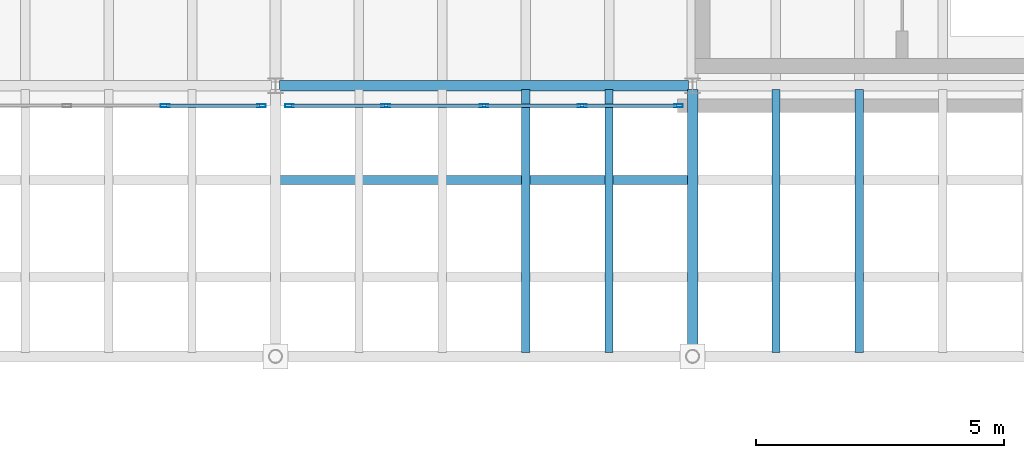
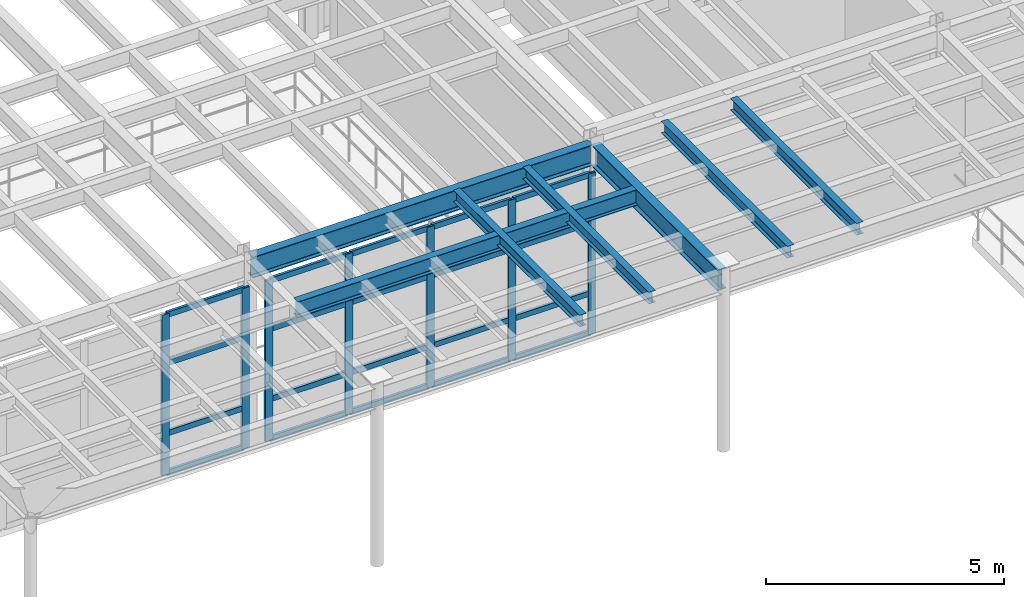
# One storey, part 37 of 105: 27 members, 7 beams, 2 elements without a shape of their own.
"""IFC4 building model written with IfcOpenShell, lengths in metres."""

from ifc_helpers import new_model, si_unit, direction, frame, origin, origin_2d, place, context, subcontext, project, spatial, hollow_rectangle, i_section, extrude, material, layer, layer_set, material_profile, profile_set, type_object, element, aggregate, save


model = new_model("IFC4")

# Units and contexts
model_context = context("Model", 3, precision=1e-05, world=origin(), true_north=direction((0.0, 1.0)))
body_context = subcontext(model_context, "Body", "Model", "MODEL_VIEW")
ifc_project = project(units=[si_unit("LENGTHUNIT", "METRE"), si_unit("AREAUNIT", "SQUARE_METRE"), si_unit("VOLUMEUNIT", "CUBIC_METRE"), si_unit("PLANEANGLEUNIT", "RADIAN"), si_unit("MASSUNIT", "GRAM", prefix="KILO")], contexts=[model_context])

# Site, building, storey
site_placement = place(None, origin())
site = spatial("IfcSite", under=ifc_project, at=site_placement, CompositionType="ELEMENT")
building_placement = place(site_placement, origin())
building = spatial("IfcBuilding", under=site, at=building_placement, Name="Selat Folded Stagehouse", CompositionType="ELEMENT")
storey_placement = place(building_placement, frame((0.0, 0.0, 10.199951171875)))
storey = spatial("IfcBuildingStorey", under=building, at=storey_placement, Name="L02", CompositionType="ELEMENT", Elevation=10.199951171875)

# Beams
ifc_material_1 = material(Name="Steel S355", Category="steel")
ifc_material_profile_1 = material_profile(ifc_material_1, i_section(OverallWidth=0.210693359375, OverallDepth=0.53955078125, WebThickness=0.01171875, FlangeThickness=0.018798828125, FilletRadius=0.0126953125, at=origin_2d()), Name="UKB 533x210x109")
ifc_profile_set_1 = profile_set([ifc_material_profile_1], Name="Steel S355")
beam_type_1 = type_object("IfcBeamType", Name="BM-GIRD-533x210x109", PredefinedType="BEAM", material=ifc_profile_set_1)
beam_1_placement = place(storey_placement, frame((75.60009765625, 0.418212890625, 4.305419921875), z_axis=(0.0, 1.0, 0.0), x_axis=(-1.0, 0.0, 0.0)))
element("IfcBeam", 1, at=beam_1_placement, inside=storey, type_object=beam_type_1, Name="L02 primary y-girder 1061", PredefinedType="BEAM", context=body_context, shape_type="SweptSolid", body=[
    extrude(i_section(OverallWidth=0.210693359375, OverallDepth=0.53955078125, WebThickness=0.01171875, FlangeThickness=0.018798828125, FilletRadius=0.0126953125, at=origin_2d()), origin(), (0.0, 0.0, 1.0), 5.3046875),
])
ifc_material_profile_2 = material_profile(ifc_material_1, i_section(OverallWidth=0.209228515625, OverallDepth=0.533203125, WebThickness=0.010009765625, FlangeThickness=0.015625, FilletRadius=0.0126953125, at=origin_2d()), Name="UKB 533x210x92")
ifc_profile_set_2 = profile_set([ifc_material_profile_2], Name="Steel S355")
beam_type_2 = type_object("IfcBeamType", Name="BM-GIRD-533x210x92", PredefinedType="BEAM", material=ifc_profile_set_2)
beam_2_placement = place(storey_placement, frame((67.277099609375, 5.800048828125, 4.308349609375), z_axis=(1.0, 0.0, 0.0), x_axis=(0.0, 1.0, 0.0)))
element("IfcBeam", 2, at=beam_2_placement, inside=storey, type_object=beam_type_2, Name="L02 primary x-girder 0993", PredefinedType="BEAM", context=body_context, shape_type="SweptSolid", body=[
    extrude(i_section(OverallWidth=0.209228515625, OverallDepth=0.533203125, WebThickness=0.010009765625, FlangeThickness=0.015625, FilletRadius=0.0126953125, at=origin_2d()), origin(), (0.0, 0.0, 1.0), 8.245849609375),
])

# Curtain wall, members
ifc_material_2 = material(Name="Aluminium 6063-T6", Category="aluminium")
ifc_layer = layer(ifc_material_2, 0.2099609375)
ifc_layer_set = layer_set([ifc_layer], Name="Aluminium 6063-T6")
curtain_wall_type = type_object("IfcCurtainWallType", Name="CW-FYR-SOUTH", PredefinedType="NOTDEFINED", material=ifc_layer_set)
curtain_wall_1_placement = place(storey_placement, origin())
curtain_wall_1 = element("IfcCurtainWall", 3, at=curtain_wall_1_placement, inside=storey, type_object=curtain_wall_type, Name="L02 curtain wall CW-FYR-L02-02", PredefinedType="NOTDEFINED")
ifc_material_profile_3 = material_profile(ifc_material_2, hollow_rectangle(XDim=0.06494140625, YDim=0.179931640625, WallThickness=0.00390625, at=origin_2d()), Name="ALU 180x65x4.0")
ifc_profile_set_3 = profile_set([ifc_material_profile_3], Name="Aluminium 6063-T6")
member_type_1 = type_object("IfcMemberType", Name="CWM-MUL-180x65", PredefinedType="MULLION", material=ifc_profile_set_3)
member_1_placement = place(storey_placement, frame((66.91748046875, 5.39990234375, 0.0), z_axis=(0.0, 0.0, 1.0), x_axis=(0.0, -1.0, 0.0)))
member_1 = element("IfcMember", 4, at=member_1_placement, type_object=member_type_1, Name="CW-04 mullion 1", PredefinedType="MULLION", context=body_context, shape_type="SweptSolid", body=[
    extrude(hollow_rectangle(XDim=0.06494140625, YDim=0.179931640625, WallThickness=0.00390625, at=origin_2d()), origin(), (0.0, 0.0, 1.0), 4.1201171875),
])
member_2_placement = place(storey_placement, frame((64.97509765625, 5.39990234375, 0.0), z_axis=(0.0, 0.0, 1.0), x_axis=(0.0, -1.0, 0.0)))
member_2 = element("IfcMember", 5, at=member_2_placement, type_object=member_type_1, Name="CW-04 mullion 2", PredefinedType="MULLION", context=body_context, shape_type="SweptSolid", body=[
    extrude(hollow_rectangle(XDim=0.06494140625, YDim=0.179931640625, WallThickness=0.00390625, at=origin_2d()), origin(), (0.0, 0.0, 1.0), 4.1201171875),
])

curtain_wall_2_placement = place(storey_placement, origin())
curtain_wall_2 = element("IfcCurtainWall", 6, at=curtain_wall_2_placement, inside=storey, type_object=curtain_wall_type, Name="L02 curtain wall CW-FYR-L02-03", PredefinedType="NOTDEFINED")
member_3_placement = place(storey_placement, frame((75.3173828125, 5.39990234375, 0.0), z_axis=(0.0, 0.0, 1.0), x_axis=(0.0, -1.0, 0.0)))
member_3 = element("IfcMember", 7, at=member_3_placement, type_object=member_type_1, Name="CW-04 mullion 1", PredefinedType="MULLION", context=body_context, shape_type="SweptSolid", body=[
    extrude(hollow_rectangle(XDim=0.06494140625, YDim=0.179931640625, WallThickness=0.00390625, at=origin_2d()), origin(), (0.0, 0.0, 1.0), 4.1201171875),
])
member_4_placement = place(storey_placement, frame((73.375, 5.39990234375, 0.0), z_axis=(0.0, 0.0, 1.0), x_axis=(0.0, -1.0, 0.0)))
member_4 = element("IfcMember", 8, at=member_4_placement, type_object=member_type_1, Name="CW-04 mullion 2", PredefinedType="MULLION", context=body_context, shape_type="SweptSolid", body=[
    extrude(hollow_rectangle(XDim=0.06494140625, YDim=0.179931640625, WallThickness=0.00390625, at=origin_2d()), origin(), (0.0, 0.0, 1.0), 4.1201171875),
])
member_5_placement = place(storey_placement, frame((71.39990234375, 5.39990234375, 0.0), z_axis=(0.0, 0.0, 1.0), x_axis=(0.0, -1.0, 0.0)))
member_5 = element("IfcMember", 9, at=member_5_placement, type_object=member_type_1, Name="CW-04 mullion 3", PredefinedType="MULLION", context=body_context, shape_type="SweptSolid", body=[
    extrude(hollow_rectangle(XDim=0.06494140625, YDim=0.179931640625, WallThickness=0.00390625, at=origin_2d()), origin(), (0.0, 0.0, 1.0), 4.1201171875),
])
member_6_placement = place(storey_placement, frame((69.425048828125, 5.39990234375, 0.0), z_axis=(0.0, 0.0, 1.0), x_axis=(0.0, -1.0, 0.0)))
member_6 = element("IfcMember", 10, at=member_6_placement, type_object=member_type_1, Name="CW-04 mullion 4", PredefinedType="MULLION", context=body_context, shape_type="SweptSolid", body=[
    extrude(hollow_rectangle(XDim=0.06494140625, YDim=0.179931640625, WallThickness=0.00390625, at=origin_2d()), origin(), (0.0, 0.0, 1.0), 4.1201171875),
])
member_7_placement = place(storey_placement, frame((67.482421875, 5.39990234375, 0.0), z_axis=(0.0, 0.0, 1.0), x_axis=(0.0, -1.0, 0.0)))
member_7 = element("IfcMember", 11, at=member_7_placement, type_object=member_type_1, Name="CW-04 mullion 5", PredefinedType="MULLION", context=body_context, shape_type="SweptSolid", body=[
    extrude(hollow_rectangle(XDim=0.06494140625, YDim=0.179931640625, WallThickness=0.00390625, at=origin_2d()), origin(), (0.0, 0.0, 1.0), 4.1201171875),
])

# Member
ifc_material_profile_4 = material_profile(ifc_material_2, hollow_rectangle(XDim=0.06494140625, YDim=0.139892578125, WallThickness=0.00390625, at=origin_2d()), Name="ALU 140x65x4.0")
ifc_profile_set_4 = profile_set([ifc_material_profile_4], Name="Aluminium 6063-T6")
member_type_2 = type_object("IfcMemberType", Name="CWM-TRN-140x65", PredefinedType="USERDEFINED", material=ifc_profile_set_4)
member_8_placement = place(storey_placement, frame((66.885009765625, 5.39990234375, 0.032470703125), z_axis=(-1.0, 0.0, 0.0), x_axis=(0.0, -1.0, 0.0)))
member_8 = element("IfcMember", 12, at=member_8_placement, type_object=member_type_2, Name="CW-04 transom 1.1", ObjectType="TRANSOM", PredefinedType="USERDEFINED", context=body_context, shape_type="SweptSolid", body=[
    extrude(hollow_rectangle(XDim=0.06494140625, YDim=0.139892578125, WallThickness=0.00390625, at=origin_2d()), origin(), (0.0, 0.0, 1.0), 1.87744140625),
])

member_9_placement = place(storey_placement, frame((66.885009765625, 5.39990234375, 1.050048828125), z_axis=(-1.0, 0.0, 0.0), x_axis=(0.0, -1.0, 0.0)))
member_9 = element("IfcMember", 13, at=member_9_placement, type_object=member_type_2, Name="CW-04 transom 1.2", ObjectType="TRANSOM", PredefinedType="USERDEFINED", context=body_context, shape_type="SweptSolid", body=[
    extrude(hollow_rectangle(XDim=0.06494140625, YDim=0.139892578125, WallThickness=0.00390625, at=origin_2d()), origin(), (0.0, 0.0, 1.0), 1.87744140625),
])

member_10_placement = place(storey_placement, frame((66.885009765625, 5.39990234375, 2.85009765625), z_axis=(-1.0, 0.0, 0.0), x_axis=(0.0, -1.0, 0.0)))
member_10 = element("IfcMember", 14, at=member_10_placement, type_object=member_type_2, Name="CW-04 transom 1.3", ObjectType="TRANSOM", PredefinedType="USERDEFINED", context=body_context, shape_type="SweptSolid", body=[
    extrude(hollow_rectangle(XDim=0.06494140625, YDim=0.139892578125, WallThickness=0.00390625, at=origin_2d()), origin(), (0.0, 0.0, 1.0), 1.87744140625),
])

member_11_placement = place(storey_placement, frame((66.885009765625, 5.39990234375, 4.087646484375), z_axis=(-1.0, 0.0, 0.0), x_axis=(0.0, -1.0, 0.0)))
member_11 = element("IfcMember", 15, at=member_11_placement, type_object=member_type_2, Name="CW-04 transom 1.4", ObjectType="TRANSOM", PredefinedType="USERDEFINED", context=body_context, shape_type="SweptSolid", body=[
    extrude(hollow_rectangle(XDim=0.06494140625, YDim=0.139892578125, WallThickness=0.00390625, at=origin_2d()), origin(), (0.0, 0.0, 1.0), 1.87744140625),
])

aggregate(curtain_wall_1, [member_1, member_2, member_8, member_9, member_10, member_11])

member_12_placement = place(storey_placement, frame((75.284912109375, 5.39990234375, 0.032470703125), z_axis=(-1.0, 0.0, 0.0), x_axis=(0.0, -1.0, 0.0)))
member_12 = element("IfcMember", 16, at=member_12_placement, type_object=member_type_2, Name="CW-04 transom 1.1", ObjectType="TRANSOM", PredefinedType="USERDEFINED", context=body_context, shape_type="SweptSolid", body=[
    extrude(hollow_rectangle(XDim=0.06494140625, YDim=0.139892578125, WallThickness=0.00390625, at=origin_2d()), origin(), (0.0, 0.0, 1.0), 1.87744140625),
])

member_13_placement = place(storey_placement, frame((75.284912109375, 5.39990234375, 1.050048828125), z_axis=(-1.0, 0.0, 0.0), x_axis=(0.0, -1.0, 0.0)))
member_13 = element("IfcMember", 17, at=member_13_placement, type_object=member_type_2, Name="CW-04 transom 1.2", ObjectType="TRANSOM", PredefinedType="USERDEFINED", context=body_context, shape_type="SweptSolid", body=[
    extrude(hollow_rectangle(XDim=0.06494140625, YDim=0.139892578125, WallThickness=0.00390625, at=origin_2d()), origin(), (0.0, 0.0, 1.0), 1.87744140625),
])

member_14_placement = place(storey_placement, frame((75.284912109375, 5.39990234375, 2.85009765625), z_axis=(-1.0, 0.0, 0.0), x_axis=(0.0, -1.0, 0.0)))
member_14 = element("IfcMember", 18, at=member_14_placement, type_object=member_type_2, Name="CW-04 transom 1.3", ObjectType="TRANSOM", PredefinedType="USERDEFINED", context=body_context, shape_type="SweptSolid", body=[
    extrude(hollow_rectangle(XDim=0.06494140625, YDim=0.139892578125, WallThickness=0.00390625, at=origin_2d()), origin(), (0.0, 0.0, 1.0), 1.87744140625),
])

member_15_placement = place(storey_placement, frame((75.284912109375, 5.39990234375, 4.087646484375), z_axis=(-1.0, 0.0, 0.0), x_axis=(0.0, -1.0, 0.0)))
member_15 = element("IfcMember", 19, at=member_15_placement, type_object=member_type_2, Name="CW-04 transom 1.4", ObjectType="TRANSOM", PredefinedType="USERDEFINED", context=body_context, shape_type="SweptSolid", body=[
    extrude(hollow_rectangle(XDim=0.06494140625, YDim=0.139892578125, WallThickness=0.00390625, at=origin_2d()), origin(), (0.0, 0.0, 1.0), 1.87744140625),
])

member_16_placement = place(storey_placement, frame((73.342529296875, 5.39990234375, 0.032470703125), z_axis=(-1.0, 0.0, 0.0), x_axis=(0.0, -1.0, 0.0)))
member_16 = element("IfcMember", 20, at=member_16_placement, type_object=member_type_2, Name="CW-04 transom 2.1", ObjectType="TRANSOM", PredefinedType="USERDEFINED", context=body_context, shape_type="SweptSolid", body=[
    extrude(hollow_rectangle(XDim=0.06494140625, YDim=0.139892578125, WallThickness=0.00390625, at=origin_2d()), origin(), (0.0, 0.0, 1.0), 1.909912109375),
])

member_17_placement = place(storey_placement, frame((73.342529296875, 5.39990234375, 1.050048828125), z_axis=(-1.0, 0.0, 0.0), x_axis=(0.0, -1.0, 0.0)))
member_17 = element("IfcMember", 21, at=member_17_placement, type_object=member_type_2, Name="CW-04 transom 2.2", ObjectType="TRANSOM", PredefinedType="USERDEFINED", context=body_context, shape_type="SweptSolid", body=[
    extrude(hollow_rectangle(XDim=0.06494140625, YDim=0.139892578125, WallThickness=0.00390625, at=origin_2d()), origin(), (0.0, 0.0, 1.0), 1.909912109375),
])

member_18_placement = place(storey_placement, frame((73.342529296875, 5.39990234375, 2.85009765625), z_axis=(-1.0, 0.0, 0.0), x_axis=(0.0, -1.0, 0.0)))
member_18 = element("IfcMember", 22, at=member_18_placement, type_object=member_type_2, Name="CW-04 transom 2.3", ObjectType="TRANSOM", PredefinedType="USERDEFINED", context=body_context, shape_type="SweptSolid", body=[
    extrude(hollow_rectangle(XDim=0.06494140625, YDim=0.139892578125, WallThickness=0.00390625, at=origin_2d()), origin(), (0.0, 0.0, 1.0), 1.909912109375),
])

member_19_placement = place(storey_placement, frame((73.342529296875, 5.39990234375, 4.087646484375), z_axis=(-1.0, 0.0, 0.0), x_axis=(0.0, -1.0, 0.0)))
member_19 = element("IfcMember", 23, at=member_19_placement, type_object=member_type_2, Name="CW-04 transom 2.4", ObjectType="TRANSOM", PredefinedType="USERDEFINED", context=body_context, shape_type="SweptSolid", body=[
    extrude(hollow_rectangle(XDim=0.06494140625, YDim=0.139892578125, WallThickness=0.00390625, at=origin_2d()), origin(), (0.0, 0.0, 1.0), 1.909912109375),
])

member_20_placement = place(storey_placement, frame((71.367431640625, 5.39990234375, 0.032470703125), z_axis=(-1.0, 0.0, 0.0), x_axis=(0.0, -1.0, 0.0)))
member_20 = element("IfcMember", 24, at=member_20_placement, type_object=member_type_2, Name="CW-04 transom 3.1", ObjectType="TRANSOM", PredefinedType="USERDEFINED", context=body_context, shape_type="SweptSolid", body=[
    extrude(hollow_rectangle(XDim=0.06494140625, YDim=0.139892578125, WallThickness=0.00390625, at=origin_2d()), origin(), (0.0, 0.0, 1.0), 1.909912109375),
])

member_21_placement = place(storey_placement, frame((71.367431640625, 5.39990234375, 1.050048828125), z_axis=(-1.0, 0.0, 0.0), x_axis=(0.0, -1.0, 0.0)))
member_21 = element("IfcMember", 25, at=member_21_placement, type_object=member_type_2, Name="CW-04 transom 3.2", ObjectType="TRANSOM", PredefinedType="USERDEFINED", context=body_context, shape_type="SweptSolid", body=[
    extrude(hollow_rectangle(XDim=0.06494140625, YDim=0.139892578125, WallThickness=0.00390625, at=origin_2d()), origin(), (0.0, 0.0, 1.0), 1.909912109375),
])

member_22_placement = place(storey_placement, frame((71.367431640625, 5.39990234375, 2.85009765625), z_axis=(-1.0, 0.0, 0.0), x_axis=(0.0, -1.0, 0.0)))
member_22 = element("IfcMember", 26, at=member_22_placement, type_object=member_type_2, Name="CW-04 transom 3.3", ObjectType="TRANSOM", PredefinedType="USERDEFINED", context=body_context, shape_type="SweptSolid", body=[
    extrude(hollow_rectangle(XDim=0.06494140625, YDim=0.139892578125, WallThickness=0.00390625, at=origin_2d()), origin(), (0.0, 0.0, 1.0), 1.909912109375),
])

member_23_placement = place(storey_placement, frame((71.367431640625, 5.39990234375, 4.087646484375), z_axis=(-1.0, 0.0, 0.0), x_axis=(0.0, -1.0, 0.0)))
member_23 = element("IfcMember", 27, at=member_23_placement, type_object=member_type_2, Name="CW-04 transom 3.4", ObjectType="TRANSOM", PredefinedType="USERDEFINED", context=body_context, shape_type="SweptSolid", body=[
    extrude(hollow_rectangle(XDim=0.06494140625, YDim=0.139892578125, WallThickness=0.00390625, at=origin_2d()), origin(), (0.0, 0.0, 1.0), 1.909912109375),
])

member_24_placement = place(storey_placement, frame((69.392578125, 5.39990234375, 0.032470703125), z_axis=(-1.0, 0.0, 0.0), x_axis=(0.0, -1.0, 0.0)))
member_24 = element("IfcMember", 28, at=member_24_placement, type_object=member_type_2, Name="CW-04 transom 4.1", ObjectType="TRANSOM", PredefinedType="USERDEFINED", context=body_context, shape_type="SweptSolid", body=[
    extrude(hollow_rectangle(XDim=0.06494140625, YDim=0.139892578125, WallThickness=0.00390625, at=origin_2d()), origin(), (0.0, 0.0, 1.0), 1.877685546875),
])

member_25_placement = place(storey_placement, frame((69.392578125, 5.39990234375, 1.050048828125), z_axis=(-1.0, 0.0, 0.0), x_axis=(0.0, -1.0, 0.0)))
member_25 = element("IfcMember", 29, at=member_25_placement, type_object=member_type_2, Name="CW-04 transom 4.2", ObjectType="TRANSOM", PredefinedType="USERDEFINED", context=body_context, shape_type="SweptSolid", body=[
    extrude(hollow_rectangle(XDim=0.06494140625, YDim=0.139892578125, WallThickness=0.00390625, at=origin_2d()), origin(), (0.0, 0.0, 1.0), 1.877685546875),
])

member_26_placement = place(storey_placement, frame((69.392578125, 5.39990234375, 2.85009765625), z_axis=(-1.0, 0.0, 0.0), x_axis=(0.0, -1.0, 0.0)))
member_26 = element("IfcMember", 30, at=member_26_placement, type_object=member_type_2, Name="CW-04 transom 4.3", ObjectType="TRANSOM", PredefinedType="USERDEFINED", context=body_context, shape_type="SweptSolid", body=[
    extrude(hollow_rectangle(XDim=0.06494140625, YDim=0.139892578125, WallThickness=0.00390625, at=origin_2d()), origin(), (0.0, 0.0, 1.0), 1.877685546875),
])

member_27_placement = place(storey_placement, frame((69.392578125, 5.39990234375, 4.087646484375), z_axis=(-1.0, 0.0, 0.0), x_axis=(0.0, -1.0, 0.0)))
member_27 = element("IfcMember", 31, at=member_27_placement, type_object=member_type_2, Name="CW-04 transom 4.4", ObjectType="TRANSOM", PredefinedType="USERDEFINED", context=body_context, shape_type="SweptSolid", body=[
    extrude(hollow_rectangle(XDim=0.06494140625, YDim=0.139892578125, WallThickness=0.00390625, at=origin_2d()), origin(), (0.0, 0.0, 1.0), 1.877685546875),
])

aggregate(curtain_wall_2, [member_3, member_4, member_5, member_6, member_7, member_12, member_13, member_14, member_15, member_16, member_17, member_18, member_19, member_20, member_21, member_22, member_23, member_24, member_25, member_26, member_27])

# Beams
ifc_material_profile_5 = material_profile(ifc_material_1, i_section(OverallWidth=0.1650390625, OverallDepth=0.303466796875, WebThickness=0.006103515625, FlangeThickness=0.01025390625, FilletRadius=0.0087890625, at=origin_2d()), Name="UKB 305x165x40")
ifc_profile_set_5 = profile_set([ifc_material_profile_5], Name="Steel S355")
beam_type_3 = type_object("IfcBeamType", Name="JST-305x165x40", PredefinedType="JOIST", material=ifc_profile_set_5)
for number, where, z_axis, x_axis, name in (
    (32, (72.239990234375, 0.42333984375, 4.42333984375), (0.0, 1.0, 0.0), (-1.0, 0.0, 0.0), "L02 secondary floor joist 1148"),
    (33, (73.919921875, 0.42333984375, 4.42333984375), (0.0, 1.0, 0.0), (-1.0, 0.0, 0.0), "L02 secondary floor joist 1150"),
    (34, (77.280029296875, 0.42333984375, 4.42333984375), (0.0, 1.0, 0.0), (-1.0, 0.0, 0.0), "L02 secondary floor joist 1152"),
    (35, (78.9599609375, 0.42333984375, 4.42333984375), (0.0, 1.0, 0.0), (-1.0, 0.0, 0.0), "L02 secondary floor joist 1154"),
):
    element("IfcBeam", number, at=place(storey_placement, frame(where, z_axis=z_axis, x_axis=x_axis)), inside=storey, type_object=beam_type_3, Name=name, PredefinedType="JOIST", context=body_context, shape_type="SweptSolid", body=[
        extrude(i_section(OverallWidth=0.1650390625, OverallDepth=0.303466796875, WebThickness=0.006103515625, FlangeThickness=0.01025390625, FilletRadius=0.0087890625, at=origin_2d()), origin(), (0.0, 0.0, 1.0), 5.303466796875),
    ])
ifc_material_profile_6 = material_profile(ifc_material_1, i_section(OverallWidth=0.177978515625, OverallDepth=0.406494140625, WebThickness=0.0078125, FlangeThickness=0.0126953125, FilletRadius=0.01025390625, at=origin_2d()), Name="UKB 406x178x60")
ifc_profile_set_6 = profile_set([ifc_material_profile_6], Name="Steel S355")
beam_type_4 = type_object("IfcBeamType", Name="JST-406x178x60", PredefinedType="JOIST", material=ifc_profile_set_6)
beam_3_placement = place(storey_placement, frame((67.273681640625, 3.89990234375, 4.371826171875), z_axis=(1.0, 0.0, 0.0), x_axis=(0.0, 1.0, 0.0)))
element("IfcBeam", 36, at=beam_3_placement, inside=storey, type_object=beam_type_4, Name="L02 secondary x-joist 1211", PredefinedType="JOIST", context=body_context, shape_type="SweptSolid", body=[
    extrude(i_section(OverallWidth=0.177978515625, OverallDepth=0.406494140625, WebThickness=0.0078125, FlangeThickness=0.0126953125, FilletRadius=0.01025390625, at=origin_2d()), origin(), (0.0, 0.0, 1.0), 8.25244140625),
])

save(model, "model.ifc")
